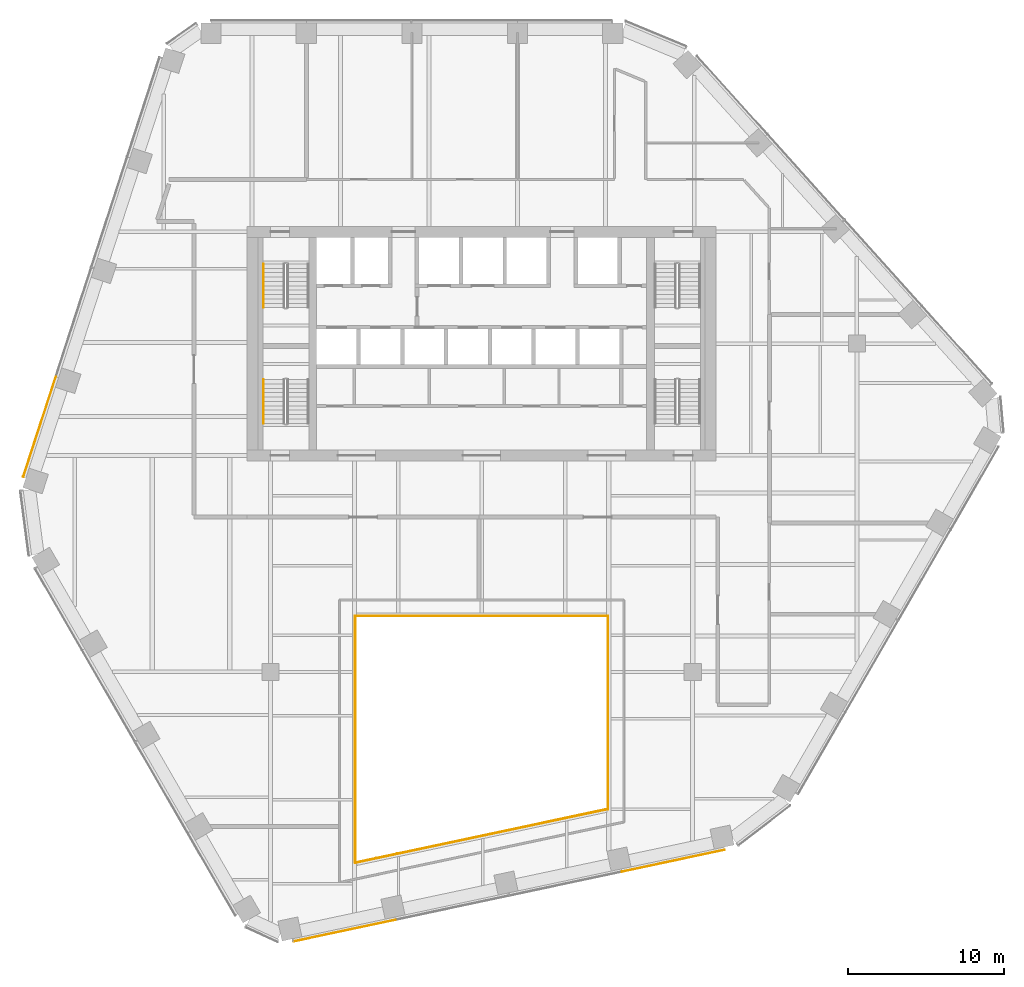
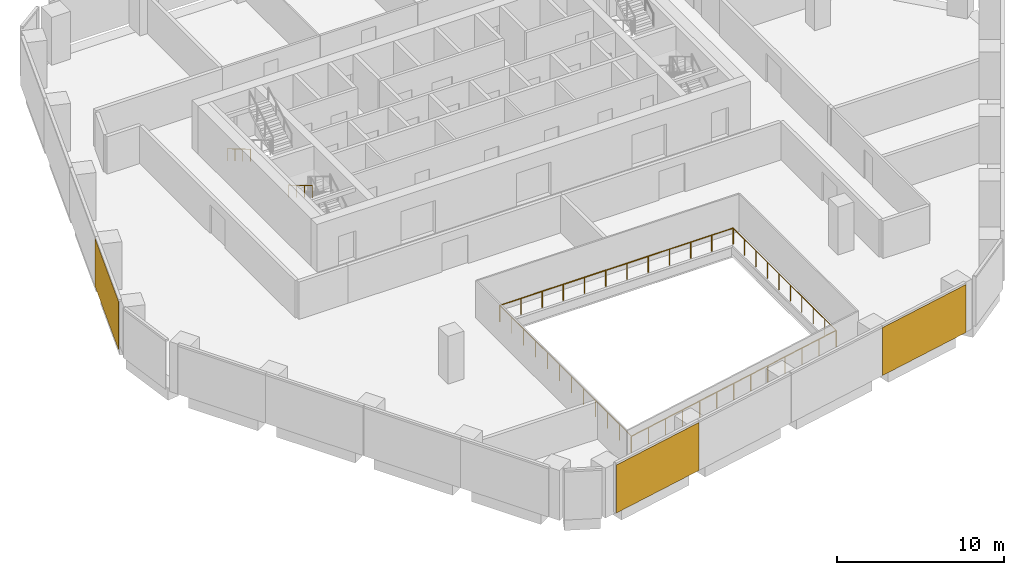
# One storey, part 14 of 16: 6 railings, 3 coverings, 2 elements without a shape of their own.
"""IFC4 building model written with IfcOpenShell, lengths in metres."""

from ifc_helpers import new_model, si_unit, direction, frame, origin, origin_2d, place, context, subcontext, project, spatial, rectangle, circle, extrude, material, layer, layer_set, type_object, element, aggregate, save


model = new_model("IFC4")

# Units and contexts
model_context = context("Model", 3, precision=1e-05, world=origin(), true_north=direction((0.0, 1.0)))
body_context = subcontext(model_context, "Body", "Model", "MODEL_VIEW")
ifc_project = project(units=[si_unit("LENGTHUNIT", "METRE"), si_unit("AREAUNIT", "SQUARE_METRE"), si_unit("VOLUMEUNIT", "CUBIC_METRE"), si_unit("PLANEANGLEUNIT", "RADIAN"), si_unit("MASSUNIT", "GRAM", prefix="KILO")], contexts=[model_context])

# Site, building, storey
site_placement = place(None, origin())
site = spatial("IfcSite", under=ifc_project, at=site_placement, CompositionType="ELEMENT")
building_placement = place(site_placement, origin())
building = spatial("IfcBuilding", under=site, at=building_placement, Name="Isthmus Gate Tower", CompositionType="ELEMENT")
storey_placement = place(building_placement, frame((0.0, 0.0, 196.35009765625)))
storey = spatial("IfcBuildingStorey", under=building, at=storey_placement, Name="L49", CompositionType="ELEMENT", Elevation=196.35009765625)

# Railings
ifc_material_1 = material(Name="Laminated toughened glass balustrade with steel rail", Category="steel")
railing_type_1 = type_object("IfcRailingType", Name="ATRIUM GUARD GLASS BALUSTRADE 1200", PredefinedType="GUARDRAIL", material=ifc_material_1)
railing_1_placement = place(storey_placement, frame((-8.080078125, -25.7099609375, 0.0)))
element("IfcRailing", 1, at=railing_1_placement, inside=storey, type_object=railing_type_1, Name="L49 atrium guard", PredefinedType="GUARDRAIL", context=body_context, shape_type="SweptSolid", body=[
    extrude(circle(Radius=0.02490234375, at=origin_2d()), frame((0.0, 0.0, 1.1748046875), z_axis=(0.0, 1.0, 0.0), x_axis=(-1.0, 0.0, 0.0)), (0.0, 0.0, 1.0), 15.7900390625),
    extrude(circle(Radius=0.02490234375, at=origin_2d()), origin(), (0.0, 0.0, 1.0), 1.14990234375),
    extrude(circle(Radius=0.02490234375, at=origin_2d()), frame((0.0, 1.435546875, 0.0)), (0.0, 0.0, 1.0), 1.14990234375),
    extrude(circle(Radius=0.02490234375, at=origin_2d()), frame((0.0, 2.870849609375, 0.0)), (0.0, 0.0, 1.0), 1.14990234375),
    extrude(circle(Radius=0.02490234375, at=origin_2d()), frame((0.0, 4.306396484375, 0.0)), (0.0, 0.0, 1.0), 1.14990234375),
    extrude(circle(Radius=0.02490234375, at=origin_2d()), frame((0.0, 5.741943359375, 0.0)), (0.0, 0.0, 1.0), 1.14990234375),
    extrude(circle(Radius=0.02490234375, at=origin_2d()), frame((0.0, 7.17724609375, 0.0)), (0.0, 0.0, 1.0), 1.14990234375),
    extrude(circle(Radius=0.02490234375, at=origin_2d()), frame((0.0, 8.61279296875, 0.0)), (0.0, 0.0, 1.0), 1.14990234375),
    extrude(circle(Radius=0.02490234375, at=origin_2d()), frame((0.0, 10.048095703125, 0.0)), (0.0, 0.0, 1.0), 1.14990234375),
    extrude(circle(Radius=0.02490234375, at=origin_2d()), frame((0.0, 11.483642578125, 0.0)), (0.0, 0.0, 1.0), 1.14990234375),
    extrude(circle(Radius=0.02490234375, at=origin_2d()), frame((0.0, 12.919189453125, 0.0)), (0.0, 0.0, 1.0), 1.14990234375),
    extrude(circle(Radius=0.02490234375, at=origin_2d()), frame((0.0, 14.3544921875, 0.0)), (0.0, 0.0, 1.0), 1.14990234375),
    extrude(circle(Radius=0.02490234375, at=origin_2d()), frame((0.0, 15.7900390625, 0.0)), (0.0, 0.0, 1.0), 1.14990234375),
])
railing_2_placement = place(storey_placement, frame((-8.080078125, -9.919921875, 0.0)))
element("IfcRailing", 2, at=railing_2_placement, inside=storey, type_object=railing_type_1, Name="L49 atrium guard", PredefinedType="GUARDRAIL", context=body_context, shape_type="SweptSolid", body=[
    extrude(circle(Radius=0.02490234375, at=origin_2d()), frame((0.0, 0.0, 1.1748046875), z_axis=(1.0, 0.0, 0.0), x_axis=(0.0, 1.0, 0.0)), (0.0, 0.0, 1.0), 16.16015625),
    extrude(circle(Radius=0.02490234375, at=origin_2d()), origin(), (0.0, 0.0, 1.0), 1.14990234375),
    extrude(circle(Radius=0.02490234375, at=origin_2d()), frame((1.468994140625, 0.0, 0.0)), (0.0, 0.0, 1.0), 1.14990234375),
    extrude(circle(Radius=0.02490234375, at=origin_2d()), frame((2.938232421875, 0.0, 0.0)), (0.0, 0.0, 1.0), 1.14990234375),
    extrude(circle(Radius=0.02490234375, at=origin_2d()), frame((4.4072265625, 0.0, 0.0)), (0.0, 0.0, 1.0), 1.14990234375),
    extrude(circle(Radius=0.02490234375, at=origin_2d()), frame((5.87646484375, 0.0, 0.0)), (0.0, 0.0, 1.0), 1.14990234375),
    extrude(circle(Radius=0.02490234375, at=origin_2d()), frame((7.345458984375, 0.0, 0.0)), (0.0, 0.0, 1.0), 1.14990234375),
    extrude(circle(Radius=0.02490234375, at=origin_2d()), frame((8.814697265625, 0.0, 0.0)), (0.0, 0.0, 1.0), 1.14990234375),
    extrude(circle(Radius=0.02490234375, at=origin_2d()), frame((10.28369140625, 0.0, 0.0)), (0.0, 0.0, 1.0), 1.14990234375),
    extrude(circle(Radius=0.02490234375, at=origin_2d()), frame((11.7529296875, 0.0, 0.0)), (0.0, 0.0, 1.0), 1.14990234375),
    extrude(circle(Radius=0.02490234375, at=origin_2d()), frame((13.221923828125, 0.0, 0.0)), (0.0, 0.0, 1.0), 1.14990234375),
    extrude(circle(Radius=0.02490234375, at=origin_2d()), frame((14.691162109375, 0.0, 0.0)), (0.0, 0.0, 1.0), 1.14990234375),
    extrude(circle(Radius=0.02490234375, at=origin_2d()), frame((16.16015625, 0.0, 0.0)), (0.0, 0.0, 1.0), 1.14990234375),
])
railing_3_placement = place(storey_placement, frame((8.080078125, -9.919921875, 0.0)))
element("IfcRailing", 3, at=railing_3_placement, inside=storey, type_object=railing_type_1, Name="L49 atrium guard", PredefinedType="GUARDRAIL", context=body_context, shape_type="SweptSolid", body=[
    extrude(circle(Radius=0.02490234375, at=origin_2d()), frame((0.0, 0.0, 1.1748046875), z_axis=(0.0, -1.0, 0.0), x_axis=(1.0, 0.0, 0.0)), (0.0, 0.0, 1.0), 12.35498046875),
    extrude(circle(Radius=0.02490234375, at=origin_2d()), origin(), (0.0, 0.0, 1.0), 1.14990234375),
    extrude(circle(Radius=0.02490234375, at=origin_2d()), frame((0.0, -1.372802734375, 0.0)), (0.0, 0.0, 1.0), 1.14990234375),
    extrude(circle(Radius=0.02490234375, at=origin_2d()), frame((0.0, -2.74560546875, 0.0)), (0.0, 0.0, 1.0), 1.14990234375),
    extrude(circle(Radius=0.02490234375, at=origin_2d()), frame((0.0, -4.118408203125, 0.0)), (0.0, 0.0, 1.0), 1.14990234375),
    extrude(circle(Radius=0.02490234375, at=origin_2d()), frame((0.0, -5.4912109375, 0.0)), (0.0, 0.0, 1.0), 1.14990234375),
    extrude(circle(Radius=0.02490234375, at=origin_2d()), frame((0.0, -6.86376953125, 0.0)), (0.0, 0.0, 1.0), 1.14990234375),
    extrude(circle(Radius=0.02490234375, at=origin_2d()), frame((0.0, -8.236572265625, 0.0)), (0.0, 0.0, 1.0), 1.14990234375),
    extrude(circle(Radius=0.02490234375, at=origin_2d()), frame((0.0, -9.609375, 0.0)), (0.0, 0.0, 1.0), 1.14990234375),
    extrude(circle(Radius=0.02490234375, at=origin_2d()), frame((0.0, -10.982177734375, 0.0)), (0.0, 0.0, 1.0), 1.14990234375),
    extrude(circle(Radius=0.02490234375, at=origin_2d()), frame((0.0, -12.35498046875, 0.0)), (0.0, 0.0, 1.0), 1.14990234375),
])
railing_4_placement = place(storey_placement, frame((8.080078125, -22.27490234375, 0.0)))
element("IfcRailing", 4, at=railing_4_placement, inside=storey, type_object=railing_type_1, Name="L49 atrium guard", PredefinedType="GUARDRAIL", context=body_context, shape_type="SweptSolid", body=[
    extrude(circle(Radius=0.02490234375, at=origin_2d()), frame((0.0, 0.0, 1.1748046875), z_axis=(-0.978146230105, -0.207918139013, 0.0), x_axis=(0.207918139013, -0.978146230105, 0.0)), (0.0, 0.0, 1.0), 16.521240234375),
    extrude(circle(Radius=0.02490234375, at=origin_2d()), origin(), (0.0, 0.0, 1.0), 1.14990234375),
    extrude(circle(Radius=0.02490234375, at=origin_2d()), frame((-1.3466796875, -0.2861328125, 0.0)), (0.0, 0.0, 1.0), 1.14990234375),
    extrude(circle(Radius=0.02490234375, at=origin_2d()), frame((-2.693359375, -0.572509765625, 0.0)), (0.0, 0.0, 1.0), 1.14990234375),
    extrude(circle(Radius=0.02490234375, at=origin_2d()), frame((-4.0400390625, -0.85888671875, 0.0)), (0.0, 0.0, 1.0), 1.14990234375),
    extrude(circle(Radius=0.02490234375, at=origin_2d()), frame((-5.38671875, -1.14501953125, 0.0)), (0.0, 0.0, 1.0), 1.14990234375),
    extrude(circle(Radius=0.02490234375, at=origin_2d()), frame((-6.7333984375, -1.43115234375, 0.0)), (0.0, 0.0, 1.0), 1.14990234375),
    extrude(circle(Radius=0.02490234375, at=origin_2d()), frame((-8.080078125, -1.717529296875, 0.0)), (0.0, 0.0, 1.0), 1.14990234375),
    extrude(circle(Radius=0.02490234375, at=origin_2d()), frame((-9.4267578125, -2.00390625, 0.0)), (0.0, 0.0, 1.0), 1.14990234375),
    extrude(circle(Radius=0.02490234375, at=origin_2d()), frame((-10.7734375, -2.2900390625, 0.0)), (0.0, 0.0, 1.0), 1.14990234375),
    extrude(circle(Radius=0.02490234375, at=origin_2d()), frame((-12.1201171875, -2.576171875, 0.0)), (0.0, 0.0, 1.0), 1.14990234375),
    extrude(circle(Radius=0.02490234375, at=origin_2d()), frame((-13.466796875, -2.862548828125, 0.0)), (0.0, 0.0, 1.0), 1.14990234375),
    extrude(circle(Radius=0.02490234375, at=origin_2d()), frame((-14.8134765625, -3.14892578125, 0.0)), (0.0, 0.0, 1.0), 1.14990234375),
    extrude(circle(Radius=0.02490234375, at=origin_2d()), frame((-16.16015625, -3.43505859375, 0.0)), (0.0, 0.0, 1.0), 1.14990234375),
])

# Curtain wall, covering
ifc_material_2 = material(Name="Aluminium, pale champagne anodised", Category="aluminium")
ifc_layer_1 = layer(ifc_material_2, 0.199951171875)
ifc_layer_set_1 = layer_set([ifc_layer_1], Name="CW-1 UNITISED CURTAIN WALL 200 DEEP")
curtain_wall_type = type_object("IfcCurtainWallType", Name="CW-1 UNITISED CURTAIN WALL 200 DEEP", PredefinedType="NOTDEFINED", material=ifc_layer_set_1)
curtain_wall_1_placement = place(storey_placement, origin())
curtain_wall_1 = element("IfcCurtainWall", 5, at=curtain_wall_1_placement, inside=storey, type_object=curtain_wall_type, Name="CW-1 NW L49", PredefinedType="NOTDEFINED")
ifc_material_3 = material(Name="Aluminium composite panel, pale champagne anodised", Category="aluminium")
ifc_layer_2 = layer(ifc_material_3, 0.035888671875)
ifc_layer_set_2 = layer_set([ifc_layer_2], Name="CW-1 PALE METAL PANEL 36")
covering_type = type_object("IfcCoveringType", Name="CW-1 PALE METAL PANEL 36", PredefinedType="CLADDING", material=ifc_layer_set_2)
covering_1_placement = place(storey_placement, frame((-28.281005859375, 2.178466796875, 0.0), z_axis=(0.0, 0.0, 1.0), x_axis=(-0.309016994375, -0.951056516295, 0.0)))
covering_1 = element("IfcCovering", 6, at=covering_1_placement, type_object=covering_type, Name="CW-1 pale metal panel", PredefinedType="CLADDING", context=body_context, shape_type="SweptSolid", body=[
    extrude(rectangle(XDim=6.74072265625, YDim=0.035888671875, at=origin_2d()), origin(), (0.0, 0.0, 1.0), 3.510009765625),
])
aggregate(curtain_wall_1, [covering_1])

# Curtain wall, coverings
curtain_wall_2_placement = place(storey_placement, origin())
curtain_wall_2 = element("IfcCurtainWall", 7, at=curtain_wall_2_placement, inside=storey, type_object=curtain_wall_type, Name="CW-1 S L49", PredefinedType="NOTDEFINED")
covering_2_placement = place(storey_placement, frame((-8.768798828125, -30.050048828125, 0.0), z_axis=(0.0, 0.0, 1.0), x_axis=(0.978147600734, 0.207911690818, 0.0)))
covering_2 = element("IfcCovering", 8, at=covering_2_placement, type_object=covering_type, Name="CW-1 pale metal panel", PredefinedType="CLADDING", context=body_context, shape_type="SweptSolid", body=[
    extrude(rectangle(XDim=6.680908203125, YDim=0.035888671875, at=origin_2d()), origin(), (0.0, 0.0, 1.0), 3.510009765625),
])
covering_3_placement = place(storey_placement, frame((12.25390625, -25.58154296875, 0.0), z_axis=(0.0, 0.0, 1.0), x_axis=(0.978147600734, 0.207911690818, 0.0)))
covering_3 = element("IfcCovering", 9, at=covering_3_placement, type_object=covering_type, Name="CW-1 pale metal panel", PredefinedType="CLADDING", context=body_context, shape_type="SweptSolid", body=[
    extrude(rectangle(XDim=6.74072265625, YDim=0.035888671875, at=origin_2d()), origin(), (0.0, 0.0, 1.0), 3.510009765625),
])
aggregate(curtain_wall_2, [covering_2, covering_3])

# Railings
ifc_material_4 = material(Name="Stainless steel handrail", Category="steel")
railing_type_2 = type_object("IfcRailingType", Name="STAIR HANDRAIL 900", PredefinedType="HANDRAIL", material=ifc_material_4)
for number, where, name in (
    (10, (-13.949951171875, 12.60009765625, 0.165771484375), "L49 ST1 stair handrail 1"),
    (11, (-13.949951171875, 5.199951171875, 1.99072265625), "L49 ST7 stair handrail 2"),
):
    element("IfcRailing", number, at=place(storey_placement, frame(where)), inside=storey, type_object=railing_type_2, Name=name, PredefinedType="HANDRAIL", context=body_context, shape_type="SweptSolid", body=[
        extrude(circle(Radius=0.02392578125, at=origin_2d()), frame((0.0, 0.0, 0.8759765625), z_axis=(0.0, -0.860306154799, 0.50977771628), x_axis=(1.0, 0.0, 0.0)), (0.0, 0.0, 1.0), 3.254638671875),
        extrude(circle(Radius=0.02099609375, at=origin_2d()), origin(), (0.0, 0.0, 1.0), 0.851806640625),
        extrude(circle(Radius=0.02099609375, at=origin_2d()), frame((0.0, -0.933349609375, 0.552978515625)), (0.0, 0.0, 1.0), 0.851806640625),
        extrude(circle(Radius=0.02099609375, at=origin_2d()), frame((0.0, -1.86669921875, 1.106201171875)), (0.0, 0.0, 1.0), 0.851806640625),
        extrude(circle(Radius=0.02099609375, at=origin_2d()), frame((0.0, -2.800048828125, 1.6591796875)), (0.0, 0.0, 1.0), 0.851806640625),
    ])

save(model, "model.ifc")
